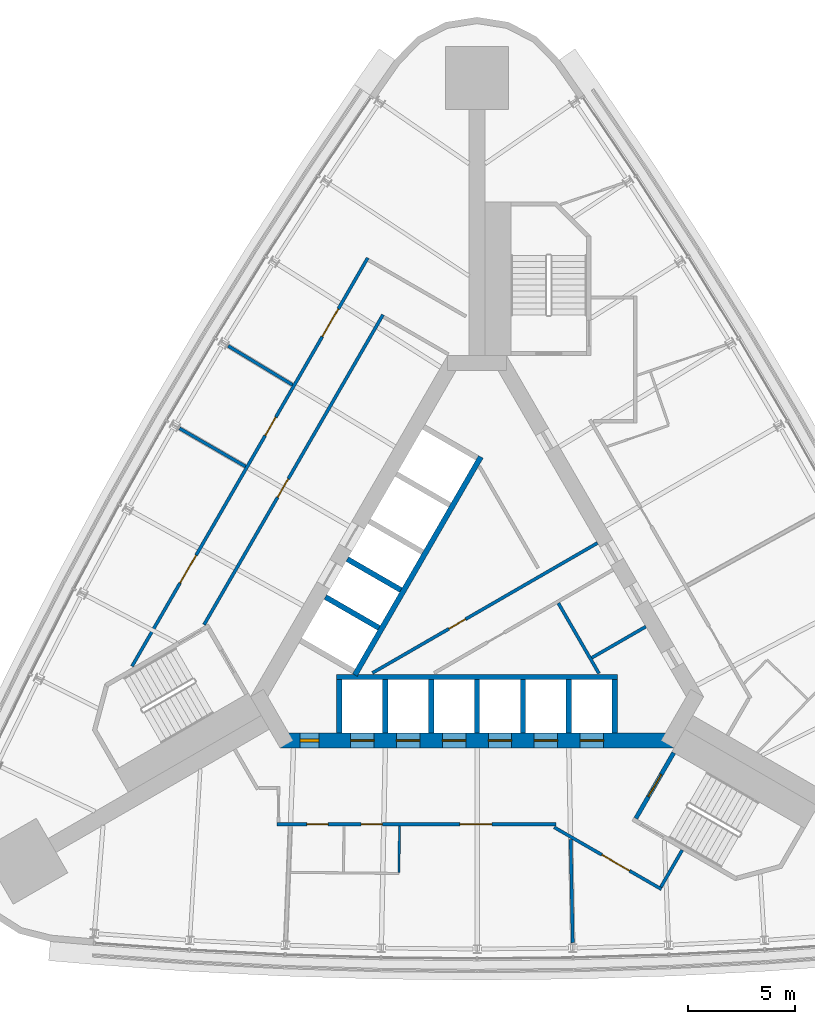
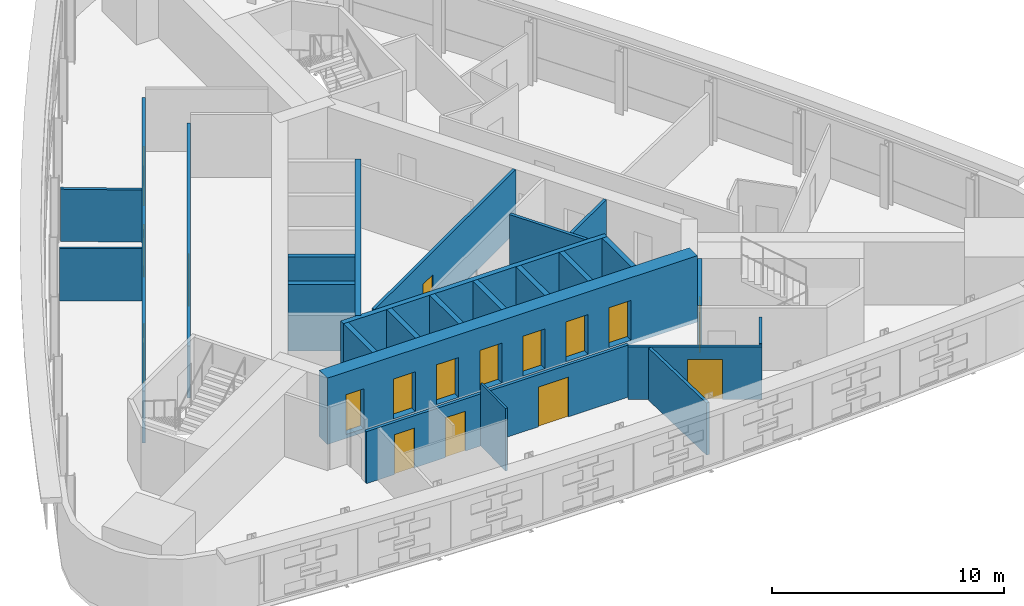
# One storey, part 7 of 11: 25 walls, 17 doors, 17 openings.
"""IFC4 building model written with IfcOpenShell, lengths in metres."""

from ifc_helpers import new_model, si_unit, direction, frame, frame_2d, origin, place, context, subcontext, project, spatial, rectangle, extrude, material, layer, layer_set, type_object, element, fill, save


model = new_model("IFC4")

# Units and contexts
model_context = context("Model", 3, precision=1e-05, world=origin(), true_north=direction((0.0, 1.0)))
body_context = subcontext(model_context, "Body", "Model", "MODEL_VIEW")
ifc_project = project(units=[si_unit("LENGTHUNIT", "METRE"), si_unit("AREAUNIT", "SQUARE_METRE"), si_unit("VOLUMEUNIT", "CUBIC_METRE"), si_unit("PLANEANGLEUNIT", "RADIAN"), si_unit("MASSUNIT", "GRAM", prefix="KILO")], contexts=[model_context])

# Site, building, storey
site_placement = place(None, origin())
site = spatial("IfcSite", under=ifc_project, at=site_placement, CompositionType="ELEMENT")
building_placement = place(site_placement, origin())
building = spatial("IfcBuilding", under=site, at=building_placement, Name="Noor Cloister Tower", CompositionType="ELEMENT")
storey_placement = place(building_placement, frame((0.0, 0.0, 123.89990234375)))
storey = spatial("IfcBuildingStorey", under=building, at=storey_placement, Name="L32", CompositionType="ELEMENT", Elevation=123.89990234375)

# Wall, opening, door
ifc_material_1 = material(Name="Concrete C30/37", Category="concrete")
ifc_layer_1 = layer(ifc_material_1, 0.14990234375)
ifc_layer_set_1 = layer_set([ifc_layer_1], Name="Core partition 150 C30/37")
wall_type_1 = type_object("IfcWallType", Name="Core partition 150 C30/37", PredefinedType="PARTITIONING", material=ifc_layer_set_1)
wall_1_placement = place(storey_placement, frame((-4.904296875, -3.4130859375, 0.0), z_axis=(0.0, 0.0, 1.0), x_axis=(0.866020716117, 0.500008119189, 0.0)))
wall_1 = element("IfcWall", 1, at=wall_1_placement, inside=storey, type_object=wall_type_1, Name="Core room partition L32 1", PredefinedType="PARTITIONING", context=body_context, shape_type="SweptSolid", body=[
    extrude(rectangle(XDim=12.181884765625, YDim=0.14990234375, at=frame_2d((6.0908203125, 0.0))), origin(), (0.0, 0.0, 1.0), 3.300048828125),
])
opening_1_placement = place(wall_1_placement, frame((4.14208984375, 0.0, 0.0)))
opening_1 = element("IfcOpeningElement", 2, at=opening_1_placement, cuts=wall_1, Name="Opening L32-906", PredefinedType="OPENING", context=body_context, shape_type="SweptSolid", body=[
    extrude(rectangle(XDim=0.89990234375, YDim=2.10009765625, at=frame_2d((0.449951171875, 1.050048828125))), frame((0.0, 0.0849609375, 0.0), z_axis=(0.0, -1.0, 0.0), x_axis=(1.0, 0.0, 0.0)), (0.0, 0.0, 1.0), 0.169921875),
])
ifc_material_2 = material(Name="Steel", Category="steel")
door_type_1 = type_object("IfcDoorType", Name="Core door 900 x 2100 FD120", OperationType="SINGLE_SWING_LEFT", PredefinedType="DOOR", material=ifc_material_2)
door_1_placement = place(opening_1_placement, origin())
door_1 = element("IfcDoor", 3, at=door_1_placement, inside=storey, type_object=door_type_1, Name="Core door 6 L32", OperationType="SINGLE_SWING_RIGHT", OverallHeight=2.10009765625, OverallWidth=0.89990234375, PredefinedType="DOOR", context=body_context, shape_type="SweptSolid", body=[
    extrude(rectangle(XDim=0.89990234375, YDim=2.10009765625, at=frame_2d((0.449951171875, 1.050048828125))), frame((0.0, 0.02490234375, 0.0), z_axis=(0.0, -1.0, 0.0), x_axis=(1.0, 0.0, 0.0)), (0.0, 0.0, 1.0), 0.050048828125),
])
fill(opening_1, door_1)

# Walls
wall_2_placement = place(storey_placement, frame((5.713134765625, -3.439208984375, 0.0), z_axis=(0.0, 0.0, 1.0), x_axis=(-0.499981559197, 0.866036050325, 0.0)))
element("IfcWall", 4, at=wall_2_placement, inside=storey, type_object=wall_type_1, Name="Core room partition L32 4", PredefinedType="PARTITIONING", context=body_context, shape_type="SweptSolid", body=[
    extrude(rectangle(XDim=3.806396484375, YDim=0.14990234375, at=frame_2d((1.9033203125, 0.0))), origin(), (0.0, 0.0, 1.0), 3.300048828125),
])
wall_3_placement = place(storey_placement, frame((5.375, -2.703369140625, 0.0), z_axis=(0.0, 0.0, 1.0), x_axis=(0.866046596414, 0.499963291492, 0.0)))
element("IfcWall", 5, at=wall_3_placement, inside=storey, type_object=wall_type_1, Name="Core room partition L32 5", PredefinedType="PARTITIONING", context=body_context, shape_type="SweptSolid", body=[
    extrude(rectangle(XDim=2.925048828125, YDim=0.14990234375, at=frame_2d((1.46240234375, 0.0))), origin(), (0.0, 0.0, 1.0), 3.300048828125),
])

# Wall, openings, doors
ifc_material_3 = material(Name="Concrete C80/95", Category="concrete")
ifc_layer_2 = layer(ifc_material_3, 0.699951171875)
ifc_layer_set_2 = layer_set([ifc_layer_2], Name="Core wall 700 C80/95")
wall_type_2 = type_object("IfcWallType", Name="Core wall 700 C80/95", PredefinedType="SHEAR", material=ifc_layer_set_2)
wall_4_placement = place(storey_placement, frame((-9.228759765625, -6.578125, -0.199951171875), z_axis=(0.0, 0.0, 1.0), x_axis=(1.0, 0.0, 0.0)))
wall_4 = element("IfcWall", 6, at=wall_4_placement, inside=storey, type_object=wall_type_2, Name="Core wall L32 1", PredefinedType="SHEAR", context=body_context, shape_type="SweptSolid", body=[
    extrude(rectangle(XDim=18.45751953125, YDim=0.699951171875, at=frame_2d((9.228759765625, 0.0))), origin(), (0.0, 0.0, 1.0), 3.5),
])
opening_2_placement = place(wall_4_placement, frame((3.3037109375, 0.0, 0.199951171875)))
opening_2 = element("IfcOpeningElement", 7, at=opening_2_placement, cuts=wall_4, Name="Opening L32-LR1", PredefinedType="OPENING", context=body_context, shape_type="SweptSolid", body=[
    extrude(rectangle(XDim=1.10009765625, YDim=2.10009765625, at=frame_2d((0.550048828125, 1.050048828125))), frame((0.0, 0.35986328125, 0.0), z_axis=(0.0, -1.0, 0.0), x_axis=(1.0, 0.0, 0.0)), (0.0, 0.0, 1.0), 0.719970703125),
])
opening_3_placement = place(wall_4_placement, frame((5.45361328125, 0.0, 0.199951171875)))
opening_3 = element("IfcOpeningElement", 8, at=opening_3_placement, cuts=wall_4, Name="Opening L32-LR2", PredefinedType="OPENING", context=body_context, shape_type="SweptSolid", body=[
    extrude(rectangle(XDim=1.10009765625, YDim=2.10009765625, at=frame_2d((0.550048828125, 1.050048828125))), frame((0.0, 0.35986328125, 0.0), z_axis=(0.0, -1.0, 0.0), x_axis=(1.0, 0.0, 0.0)), (0.0, 0.0, 1.0), 0.719970703125),
])
opening_4_placement = place(wall_4_placement, frame((7.603759765625, 0.0, 0.199951171875)))
opening_4 = element("IfcOpeningElement", 9, at=opening_4_placement, cuts=wall_4, Name="Opening L32-LR3", PredefinedType="OPENING", context=body_context, shape_type="SweptSolid", body=[
    extrude(rectangle(XDim=1.10009765625, YDim=2.10009765625, at=frame_2d((0.550048828125, 1.050048828125))), frame((0.0, 0.35986328125, 0.0), z_axis=(0.0, -1.0, 0.0), x_axis=(1.0, 0.0, 0.0)), (0.0, 0.0, 1.0), 0.719970703125),
])
opening_5_placement = place(wall_4_placement, frame((9.753662109375, 0.0, 0.199951171875)))
opening_5 = element("IfcOpeningElement", 10, at=opening_5_placement, cuts=wall_4, Name="Opening L32-LR4", PredefinedType="OPENING", context=body_context, shape_type="SweptSolid", body=[
    extrude(rectangle(XDim=1.10009765625, YDim=2.10009765625, at=frame_2d((0.550048828125, 1.050048828125))), frame((0.0, 0.35986328125, 0.0), z_axis=(0.0, -1.0, 0.0), x_axis=(1.0, 0.0, 0.0)), (0.0, 0.0, 1.0), 0.719970703125),
])
opening_6_placement = place(wall_4_placement, frame((11.90380859375, 0.0, 0.199951171875)))
opening_6 = element("IfcOpeningElement", 11, at=opening_6_placement, cuts=wall_4, Name="Opening L32-LR5", PredefinedType="OPENING", context=body_context, shape_type="SweptSolid", body=[
    extrude(rectangle(XDim=1.10009765625, YDim=2.10009765625, at=frame_2d((0.550048828125, 1.050048828125))), frame((0.0, 0.35986328125, 0.0), z_axis=(0.0, -1.0, 0.0), x_axis=(1.0, 0.0, 0.0)), (0.0, 0.0, 1.0), 0.719970703125),
])
opening_7_placement = place(wall_4_placement, frame((14.0537109375, 0.0, 0.199951171875)))
opening_7 = element("IfcOpeningElement", 12, at=opening_7_placement, cuts=wall_4, Name="Opening L32-LR6", PredefinedType="OPENING", context=body_context, shape_type="SweptSolid", body=[
    extrude(rectangle(XDim=1.10009765625, YDim=2.10009765625, at=frame_2d((0.550048828125, 1.050048828125))), frame((0.0, 0.35986328125, 0.0), z_axis=(0.0, -1.0, 0.0), x_axis=(1.0, 0.0, 0.0)), (0.0, 0.0, 1.0), 0.719970703125),
])
opening_8_placement = place(wall_4_placement, frame((0.92626953125, 0.0, 0.199951171875)))
opening_8 = element("IfcOpeningElement", 13, at=opening_8_placement, cuts=wall_4, Name="Opening L32-907", PredefinedType="OPENING", context=body_context, shape_type="SweptSolid", body=[
    extrude(rectangle(XDim=0.89990234375, YDim=2.10009765625, at=frame_2d((0.449951171875, 1.050048828125))), frame((0.0, 0.35986328125, 0.0), z_axis=(0.0, -1.0, 0.0), x_axis=(1.0, 0.0, 0.0)), (0.0, 0.0, 1.0), 0.719970703125),
])
ifc_material_4 = material(Name="Steel", Category="steel")
door_type_2 = type_object("IfcDoorType", Name="Core door 900 x 2100 FD60", OperationType="SINGLE_SWING_LEFT", PredefinedType="DOOR", material=ifc_material_4)
door_2_placement = place(opening_8_placement, origin())
door_2 = element("IfcDoor", 14, at=door_2_placement, inside=storey, type_object=door_type_2, Name="Core door 7 L32", OperationType="SINGLE_SWING_LEFT", OverallHeight=2.10009765625, OverallWidth=0.89990234375, PredefinedType="DOOR", context=body_context, shape_type="SweptSolid", body=[
    extrude(rectangle(XDim=0.89990234375, YDim=2.10009765625, at=frame_2d((0.449951171875, 1.050048828125))), frame((0.0, 0.074951171875, 0.0), z_axis=(0.0, -1.0, 0.0), x_axis=(1.0, 0.0, 0.0)), (0.0, 0.0, 1.0), 0.14990234375),
])
fill(opening_8, door_2)
ifc_material_5 = material(Name="Stainless steel", Category="steel")
door_type_3 = type_object("IfcDoorType", Name="Lift landing door 1100 x 2100", OperationType="DOUBLE_DOOR_SLIDING", PredefinedType="DOOR", material=ifc_material_5)
door_3_placement = place(opening_2_placement, origin())
door_3 = element("IfcDoor", 15, at=door_3_placement, inside=storey, type_object=door_type_3, Name="Landing door LR1 L32", OperationType="DOUBLE_DOOR_SLIDING", OverallHeight=2.10009765625, OverallWidth=1.10009765625, PredefinedType="DOOR", context=body_context, shape_type="SweptSolid", body=[
    extrude(rectangle(XDim=1.10009765625, YDim=2.10009765625, at=frame_2d((0.550048828125, 1.050048828125))), frame((0.0, 0.02490234375, 0.0), z_axis=(0.0, -1.0, 0.0), x_axis=(1.0, 0.0, 0.0)), (0.0, 0.0, 1.0), 0.050048828125),
])
fill(opening_2, door_3)
door_4_placement = place(opening_3_placement, origin())
door_4 = element("IfcDoor", 16, at=door_4_placement, inside=storey, type_object=door_type_3, Name="Landing door LR2 L32", OperationType="DOUBLE_DOOR_SLIDING", OverallHeight=2.10009765625, OverallWidth=1.10009765625, PredefinedType="DOOR", context=body_context, shape_type="SweptSolid", body=[
    extrude(rectangle(XDim=1.10009765625, YDim=2.10009765625, at=frame_2d((0.550048828125, 1.050048828125))), frame((0.0, 0.02490234375, 0.0), z_axis=(0.0, -1.0, 0.0), x_axis=(1.0, 0.0, 0.0)), (0.0, 0.0, 1.0), 0.050048828125),
])
fill(opening_3, door_4)
door_5_placement = place(opening_4_placement, origin())
door_5 = element("IfcDoor", 17, at=door_5_placement, inside=storey, type_object=door_type_3, Name="Landing door LR3 L32", OperationType="DOUBLE_DOOR_SLIDING", OverallHeight=2.10009765625, OverallWidth=1.10009765625, PredefinedType="DOOR", context=body_context, shape_type="SweptSolid", body=[
    extrude(rectangle(XDim=1.10009765625, YDim=2.10009765625, at=frame_2d((0.550048828125, 1.050048828125))), frame((0.0, 0.02490234375, 0.0), z_axis=(0.0, -1.0, 0.0), x_axis=(1.0, 0.0, 0.0)), (0.0, 0.0, 1.0), 0.050048828125),
])
fill(opening_4, door_5)
door_6_placement = place(opening_5_placement, origin())
door_6 = element("IfcDoor", 18, at=door_6_placement, inside=storey, type_object=door_type_3, Name="Landing door LR4 L32", OperationType="DOUBLE_DOOR_SLIDING", OverallHeight=2.10009765625, OverallWidth=1.10009765625, PredefinedType="DOOR", context=body_context, shape_type="SweptSolid", body=[
    extrude(rectangle(XDim=1.10009765625, YDim=2.10009765625, at=frame_2d((0.550048828125, 1.050048828125))), frame((0.0, 0.02490234375, 0.0), z_axis=(0.0, -1.0, 0.0), x_axis=(1.0, 0.0, 0.0)), (0.0, 0.0, 1.0), 0.050048828125),
])
fill(opening_5, door_6)
door_7_placement = place(opening_6_placement, origin())
door_7 = element("IfcDoor", 19, at=door_7_placement, inside=storey, type_object=door_type_3, Name="Landing door LR5 L32", OperationType="DOUBLE_DOOR_SLIDING", OverallHeight=2.10009765625, OverallWidth=1.10009765625, PredefinedType="DOOR", context=body_context, shape_type="SweptSolid", body=[
    extrude(rectangle(XDim=1.10009765625, YDim=2.10009765625, at=frame_2d((0.550048828125, 1.050048828125))), frame((0.0, 0.02490234375, 0.0), z_axis=(0.0, -1.0, 0.0), x_axis=(1.0, 0.0, 0.0)), (0.0, 0.0, 1.0), 0.050048828125),
])
fill(opening_6, door_7)
door_8_placement = place(opening_7_placement, origin())
door_8 = element("IfcDoor", 20, at=door_8_placement, inside=storey, type_object=door_type_3, Name="Landing door LR6 L32", OperationType="DOUBLE_DOOR_SLIDING", OverallHeight=2.10009765625, OverallWidth=1.10009765625, PredefinedType="DOOR", context=body_context, shape_type="SweptSolid", body=[
    extrude(rectangle(XDim=1.10009765625, YDim=2.10009765625, at=frame_2d((0.550048828125, 1.050048828125))), frame((0.0, 0.02490234375, 0.0), z_axis=(0.0, -1.0, 0.0), x_axis=(1.0, 0.0, 0.0)), (0.0, 0.0, 1.0), 0.050048828125),
])
fill(opening_7, door_8)

# Wall, opening, door
ifc_material_6 = material(Name="Fire-rated gypsum board partition on steel studs, 150 mm", Category="steel")
ifc_layer_3 = layer(ifc_material_6, 0.14990234375)
ifc_layer_set_3 = layer_set([ifc_layer_3], Name="Fire lobby wall 150")
wall_type_3 = type_object("IfcWallType", Name="Fire lobby wall 150", PredefinedType="PARTITIONING", material=ifc_layer_set_3)
wall_5_placement = place(storey_placement, frame((-4.40673828125, 13.373779296875, 0.0), z_axis=(0.0, 0.0, 1.0), x_axis=(-0.499997181693, -0.866027030928, 0.0)))
wall_5 = element("IfcWall", 21, at=wall_5_placement, inside=storey, type_object=wall_type_3, Name="Fire lobby wall 150 L32 002", PredefinedType="PARTITIONING", context=body_context, shape_type="SweptSolid", body=[
    extrude(rectangle(XDim=16.76953125, YDim=0.14990234375, at=frame_2d((8.384765625, 0.0))), origin(), (0.0, 0.0, 1.0), 2.7470703125),
])
opening_9_placement = place(wall_5_placement, frame((8.878662109375, 0.0, 0.0)))
opening_9 = element("IfcOpeningElement", 22, at=opening_9_placement, cuts=wall_5, Name="Opening L32-004", PredefinedType="OPENING", context=body_context, shape_type="SweptSolid", body=[
    extrude(rectangle(XDim=1.0, YDim=2.10009765625, at=frame_2d((0.5, 1.050048828125))), frame((0.0, 0.0849609375, 0.0), z_axis=(0.0, -1.0, 0.0), x_axis=(1.0, 0.0, 0.0)), (0.0, 0.0, 1.0), 0.169921875),
])
ifc_material_7 = material(Name="Timber door leaf with steel frame", Category="steel")
door_type_4 = type_object("IfcDoorType", Name="Fire lobby door 1000", OperationType="NOTDEFINED", PredefinedType="DOOR", material=ifc_material_7)
door_9_placement = place(opening_9_placement, origin())
door_9 = element("IfcDoor", 23, at=door_9_placement, inside=storey, type_object=door_type_4, Name="Fire lobby door 1000 L32-004", OperationType="SINGLE_SWING_RIGHT", OverallHeight=2.10009765625, OverallWidth=1.0, PredefinedType="DOOR", context=body_context, shape_type="SweptSolid", body=[
    extrude(rectangle(XDim=1.0, YDim=2.10009765625, at=frame_2d((0.5, 1.050048828125))), frame((0.0, 0.02490234375, 0.0), z_axis=(0.0, -1.0, 0.0), x_axis=(1.0, 0.0, 0.0)), (0.0, 0.0, 1.0), 0.050048828125),
])
fill(opening_9, door_9)

# Wall, openings, doors
ifc_material_8 = material(Name="Gypsum board partition on steel studs, 150 mm", Category="steel")
ifc_layer_4 = layer(ifc_material_8, 0.14990234375)
ifc_layer_set_4 = layer_set([ifc_layer_4], Name="Flat wall 150")
wall_type_4 = type_object("IfcWallType", Name="Flat wall 150", PredefinedType="PARTITIONING", material=ifc_layer_set_4)
wall_6_placement = place(storey_placement, frame((-16.1689453125, -3.09912109375, 0.0), z_axis=(0.0, 0.0, 1.0), x_axis=(0.499999805269, 0.866025516212, 0.0)))
wall_6 = element("IfcWall", 24, at=wall_6_placement, inside=storey, type_object=wall_type_4, Name="Flat wall 150 L32 001", PredefinedType="PARTITIONING", context=body_context, shape_type="SweptSolid", body=[
    extrude(rectangle(XDim=22.09716796875, YDim=0.14990234375, at=frame_2d((11.048583984375, 0.0))), origin(), (0.0, 0.0, 1.0), 2.7470703125),
])
opening_10_placement = place(wall_6_placement, frame((17.841796875, 0.0, 0.0)))
opening_10 = element("IfcOpeningElement", 25, at=opening_10_placement, cuts=wall_6, Name="Opening L32-001", PredefinedType="OPENING", context=body_context, shape_type="SweptSolid", body=[
    extrude(rectangle(XDim=1.5, YDim=2.10009765625, at=frame_2d((0.75, 1.050048828125))), frame((0.0, 0.0849609375, 0.0), z_axis=(0.0, -1.0, 0.0), x_axis=(1.0, 0.0, 0.0)), (0.0, 0.0, 1.0), 0.169921875),
])
opening_11_placement = place(wall_6_placement, frame((12.474365234375, 0.0, 0.0)))
opening_11 = element("IfcOpeningElement", 26, at=opening_11_placement, cuts=wall_6, Name="Opening L32-002", PredefinedType="OPENING", context=body_context, shape_type="SweptSolid", body=[
    extrude(rectangle(XDim=1.0, YDim=2.10009765625, at=frame_2d((0.5, 1.050048828125))), frame((0.0, 0.0849609375, 0.0), z_axis=(0.0, -1.0, 0.0), x_axis=(1.0, 0.0, 0.0)), (0.0, 0.0, 1.0), 0.169921875),
])
opening_12_placement = place(wall_6_placement, frame((4.50341796875, 0.0, 0.0)))
opening_12 = element("IfcOpeningElement", 27, at=opening_12_placement, cuts=wall_6, Name="Opening L32-003", PredefinedType="OPENING", context=body_context, shape_type="SweptSolid", body=[
    extrude(rectangle(XDim=1.5, YDim=2.10009765625, at=frame_2d((0.75, 1.050048828125))), frame((0.0, 0.0849609375, 0.0), z_axis=(0.0, -1.0, 0.0), x_axis=(1.0, 0.0, 0.0)), (0.0, 0.0, 1.0), 0.169921875),
])
ifc_material_9 = material(Name="Timber door leaf with steel frame", Category="steel")
door_type_5 = type_object("IfcDoorType", Name="Double door 1500 FD60", OperationType="NOTDEFINED", PredefinedType="DOOR", material=ifc_material_9)
door_10_placement = place(opening_10_placement, origin())
door_10 = element("IfcDoor", 28, at=door_10_placement, inside=storey, type_object=door_type_5, Name="Double door 1500 L32-001", OperationType="DOUBLE_DOOR_SINGLE_SWING", OverallHeight=2.10009765625, OverallWidth=1.5, PredefinedType="DOOR", context=body_context, shape_type="SweptSolid", body=[
    extrude(rectangle(XDim=1.5, YDim=2.10009765625, at=frame_2d((0.75, 1.050048828125))), frame((0.0, 0.02490234375, 0.0), z_axis=(0.0, -1.0, 0.0), x_axis=(1.0, 0.0, 0.0)), (0.0, 0.0, 1.0), 0.050048828125),
])
fill(opening_10, door_10)
door_11_placement = place(opening_12_placement, origin())
door_11 = element("IfcDoor", 29, at=door_11_placement, inside=storey, type_object=door_type_5, Name="Double door 1500 L32-003", OperationType="DOUBLE_DOOR_SINGLE_SWING", OverallHeight=2.10009765625, OverallWidth=1.5, PredefinedType="DOOR", context=body_context, shape_type="SweptSolid", body=[
    extrude(rectangle(XDim=1.5, YDim=2.10009765625, at=frame_2d((0.75, 1.050048828125))), frame((0.0, 0.02490234375, 0.0), z_axis=(0.0, -1.0, 0.0), x_axis=(1.0, 0.0, 0.0)), (0.0, 0.0, 1.0), 0.050048828125),
])
fill(opening_12, door_11)
ifc_material_10 = material(Name="Timber door leaf with steel frame", Category="steel")
door_type_6 = type_object("IfcDoorType", Name="Interior door 1000 FD60", OperationType="NOTDEFINED", PredefinedType="DOOR", material=ifc_material_10)
door_12_placement = place(opening_11_placement, origin())
door_12 = element("IfcDoor", 30, at=door_12_placement, inside=storey, type_object=door_type_6, Name="Interior door 1000 L32-002", OperationType="SINGLE_SWING_RIGHT", OverallHeight=2.10009765625, OverallWidth=1.0, PredefinedType="DOOR", context=body_context, shape_type="SweptSolid", body=[
    extrude(rectangle(XDim=1.0, YDim=2.10009765625, at=frame_2d((0.5, 1.050048828125))), frame((0.0, 0.02490234375, 0.0), z_axis=(0.0, -1.0, 0.0), x_axis=(1.0, 0.0, 0.0)), (0.0, 0.0, 1.0), 0.050048828125),
])
fill(opening_11, door_12)

wall_7_placement = place(storey_placement, frame((3.68896484375, -10.503173828125, 0.0), z_axis=(0.0, 0.0, 1.0), x_axis=(-1.0, 0.0, 0.0)))
wall_7 = element("IfcWall", 31, at=wall_7_placement, inside=storey, type_object=wall_type_4, Name="Flat wall 150 L32 004", PredefinedType="PARTITIONING", context=body_context, shape_type="SweptSolid", body=[
    extrude(rectangle(XDim=13.067626953125, YDim=0.14990234375, at=frame_2d((6.53369140625, 0.0))), origin(), (0.0, 0.0, 1.0), 2.7470703125),
])
opening_13_placement = place(wall_7_placement, frame((10.66845703125, 0.0, 0.0)))
opening_13 = element("IfcOpeningElement", 32, at=opening_13_placement, cuts=wall_7, Name="Opening L32-007", PredefinedType="OPENING", context=body_context, shape_type="SweptSolid", body=[
    extrude(rectangle(XDim=1.0, YDim=2.10009765625, at=frame_2d((0.5, 1.050048828125))), frame((0.0, 0.0849609375, 0.0), z_axis=(0.0, -1.0, 0.0), x_axis=(1.0, 0.0, 0.0)), (0.0, 0.0, 1.0), 0.169921875),
])
opening_14_placement = place(wall_7_placement, frame((8.12451171875, 0.0, 0.0)))
opening_14 = element("IfcOpeningElement", 33, at=opening_14_placement, cuts=wall_7, Name="Opening L32-008", PredefinedType="OPENING", context=body_context, shape_type="SweptSolid", body=[
    extrude(rectangle(XDim=1.0, YDim=2.10009765625, at=frame_2d((0.5, 1.050048828125))), frame((0.0, 0.0849609375, 0.0), z_axis=(0.0, -1.0, 0.0), x_axis=(1.0, 0.0, 0.0)), (0.0, 0.0, 1.0), 0.169921875),
])
opening_15_placement = place(wall_7_placement, frame((2.98974609375, 0.0, 0.0)))
opening_15 = element("IfcOpeningElement", 34, at=opening_15_placement, cuts=wall_7, Name="Opening L32-009", PredefinedType="OPENING", context=body_context, shape_type="SweptSolid", body=[
    extrude(rectangle(XDim=1.5, YDim=2.10009765625, at=frame_2d((0.75, 1.050048828125))), frame((0.0, 0.0849609375, 0.0), z_axis=(0.0, -1.0, 0.0), x_axis=(1.0, 0.0, 0.0)), (0.0, 0.0, 1.0), 0.169921875),
])
ifc_material_11 = material(Name="Timber door leaf with steel frame", Category="steel")
door_type_7 = type_object("IfcDoorType", Name="Accessible WC door 1000", OperationType="NOTDEFINED", PredefinedType="DOOR", material=ifc_material_11)
door_13_placement = place(opening_13_placement, origin())
door_13 = element("IfcDoor", 35, at=door_13_placement, inside=storey, type_object=door_type_7, Name="Accessible WC door 1000 L32-007", OperationType="SINGLE_SWING_RIGHT", OverallHeight=2.10009765625, OverallWidth=1.0, PredefinedType="DOOR", context=body_context, shape_type="SweptSolid", body=[
    extrude(rectangle(XDim=1.0, YDim=2.10009765625, at=frame_2d((0.5, 1.050048828125))), frame((0.0, 0.02490234375, 0.0), z_axis=(0.0, -1.0, 0.0), x_axis=(1.0, 0.0, 0.0)), (0.0, 0.0, 1.0), 0.050048828125),
])
fill(opening_13, door_13)
door_14_placement = place(opening_15_placement, origin())
door_14 = element("IfcDoor", 36, at=door_14_placement, inside=storey, type_object=door_type_5, Name="Double door 1500 L32-009", OperationType="DOUBLE_DOOR_SINGLE_SWING", OverallHeight=2.10009765625, OverallWidth=1.5, PredefinedType="DOOR", context=body_context, shape_type="SweptSolid", body=[
    extrude(rectangle(XDim=1.5, YDim=2.10009765625, at=frame_2d((0.75, 1.050048828125))), frame((0.0, 0.02490234375, 0.0), z_axis=(0.0, -1.0, 0.0), x_axis=(1.0, 0.0, 0.0)), (0.0, 0.0, 1.0), 0.050048828125),
])
fill(opening_15, door_14)
door_15_placement = place(opening_14_placement, origin())
door_15 = element("IfcDoor", 37, at=door_15_placement, inside=storey, type_object=door_type_6, Name="Interior door 1000 L32-008", OperationType="SINGLE_SWING_RIGHT", OverallHeight=2.10009765625, OverallWidth=1.0, PredefinedType="DOOR", context=body_context, shape_type="SweptSolid", body=[
    extrude(rectangle(XDim=1.0, YDim=2.10009765625, at=frame_2d((0.5, 1.050048828125))), frame((0.0, 0.02490234375, 0.0), z_axis=(0.0, -1.0, 0.0), x_axis=(1.0, 0.0, 0.0)), (0.0, 0.0, 1.0), 0.050048828125),
])
fill(opening_14, door_15)

# Wall, opening, door
wall_8_placement = place(storey_placement, frame((8.64111328125, -13.5458984375, 0.0), z_axis=(0.0, 0.0, 1.0), x_axis=(-0.866042728627, 0.499969991291, 0.0)))
wall_8 = element("IfcWall", 38, at=wall_8_placement, inside=storey, type_object=wall_type_4, Name="Flat wall 150 L32 005", PredefinedType="PARTITIONING", context=body_context, shape_type="SweptSolid", body=[
    extrude(rectangle(XDim=5.805419921875, YDim=0.14990234375, at=frame_2d((2.90283203125, 0.0))), origin(), (0.0, 0.0, 1.0), 2.7470703125),
])
opening_16_placement = place(wall_8_placement, frame((1.726318359375, 0.0, 0.0)))
opening_16 = element("IfcOpeningElement", 39, at=opening_16_placement, cuts=wall_8, Name="Opening L32-010", PredefinedType="OPENING", context=body_context, shape_type="SweptSolid", body=[
    extrude(rectangle(XDim=1.5, YDim=2.10009765625, at=frame_2d((0.75, 1.050048828125))), frame((0.0, 0.0849609375, 0.0), z_axis=(0.0, -1.0, 0.0), x_axis=(1.0, 0.0, 0.0)), (0.0, 0.0, 1.0), 0.169921875),
])
door_16_placement = place(opening_16_placement, origin())
door_16 = element("IfcDoor", 40, at=door_16_placement, inside=storey, type_object=door_type_5, Name="Double door 1500 L32-010", OperationType="DOUBLE_DOOR_SINGLE_SWING", OverallHeight=2.10009765625, OverallWidth=1.5, PredefinedType="DOOR", context=body_context, shape_type="SweptSolid", body=[
    extrude(rectangle(XDim=1.5, YDim=2.10009765625, at=frame_2d((0.75, 1.050048828125))), frame((0.0, 0.02490234375, 0.0), z_axis=(0.0, -1.0, 0.0), x_axis=(1.0, 0.0, 0.0)), (0.0, 0.0, 1.0), 0.050048828125),
])
fill(opening_16, door_16)

# Walls
wall_9_placement = place(storey_placement, frame((8.613525390625, -13.443603515625, 0.0), z_axis=(0.0, 0.0, 1.0), x_axis=(0.499972520799, 0.866041268327, 0.0)))
element("IfcWall", 41, at=wall_9_placement, inside=storey, type_object=wall_type_4, Name="Flat wall 150 L32 012", PredefinedType="PARTITIONING", context=body_context, shape_type="SweptSolid", body=[
    extrude(rectangle(XDim=2.0, YDim=0.14990234375, at=frame_2d((1.0, 0.0))), origin(), (0.0, 0.0, 1.0), 2.822998046875),
])
wall_10_placement = place(storey_placement, frame((4.4833984375, -16.0537109375, 0.0), z_axis=(0.0, 0.0, 1.0), x_axis=(-0.020251440235, 0.999794918555, 0.0)))
element("IfcWall", 42, at=wall_10_placement, inside=storey, type_object=wall_type_4, Name="Flat wall 150 L32 018", PredefinedType="PARTITIONING", context=body_context, shape_type="SweptSolid", body=[
    extrude(rectangle(XDim=4.834228515625, YDim=0.14990234375, at=frame_2d((2.4169921875, 0.0))), origin(), (0.0, 0.0, 1.0), 2.7470703125),
])
wall_11_placement = place(storey_placement, frame((-13.942138671875, 8.049560546875, 0.0), z_axis=(0.0, 0.0, 1.0), x_axis=(0.866034162518, -0.499984829122, 0.0)))
element("IfcWall", 43, at=wall_11_placement, inside=storey, type_object=wall_type_4, Name="Flat wall 150 L32 019", PredefinedType="PARTITIONING", context=body_context, shape_type="SweptSolid", body=[
    extrude(rectangle(XDim=3.57080078125, YDim=0.14990234375, at=frame_2d((1.785400390625, 0.0))), origin(), (0.0, 0.0, 1.0), 2.7470703125),
])
wall_12_placement = place(storey_placement, frame((-11.6611328125, 11.90966796875, 0.0), z_axis=(0.0, 0.0, 1.0), x_axis=(0.855697033778, -0.517477136098, 0.0)))
element("IfcWall", 44, at=wall_12_placement, inside=storey, type_object=wall_type_4, Name="Flat wall 150 L32 020", PredefinedType="PARTITIONING", context=body_context, shape_type="SweptSolid", body=[
    extrude(rectangle(XDim=3.524658203125, YDim=0.14990234375, at=frame_2d((1.76220703125, 0.0))), origin(), (0.0, 0.0, 1.0), 2.7470703125),
])
ifc_material_12 = material(Name="Gypsum board partition on steel studs, 100 mm", Category="steel")
ifc_layer_5 = layer(ifc_material_12, 0.10009765625)
ifc_layer_set_5 = layer_set([ifc_layer_5], Name="Partition 100")
wall_type_5 = type_object("IfcWallType", Name="Partition 100", PredefinedType="PARTITIONING", material=ifc_layer_set_5)
wall_13_placement = place(storey_placement, frame((-3.65771484375, -12.755859375, 0.0), z_axis=(0.0, 0.0, 1.0), x_axis=(0.010203550433, 0.999947942424, 0.0)))
element("IfcWall", 45, at=wall_13_placement, inside=storey, type_object=wall_type_5, Name="Partition 100 L32 028", PredefinedType="PARTITIONING", context=body_context, shape_type="SweptSolid", body=[
    extrude(rectangle(XDim=2.17724609375, YDim=0.10009765625, at=frame_2d((1.088623046875, 0.0))), origin(), (0.0, 0.0, 1.0), 3.300048828125),
])
ifc_material_13 = material(Name="Concrete C80/95", Category="concrete")
ifc_layer_6 = layer(ifc_material_13, 0.25)
ifc_layer_set_6 = layer_set([ifc_layer_6], Name="Shaft wall 250 C80/95")
wall_type_6 = type_object("IfcWallType", Name="Shaft wall 250 C80/95", PredefinedType="PARTITIONING", material=ifc_layer_set_6)
for number, where, z_axis, x_axis, name in (
    (46, (-6.449951171875, -6.228271484375, -0.199951171875), (0.0, 0.0, 1.0), (0.0, 1.0, 0.0), "Lift shaft wall L32 S 1"),
    (47, (-4.300048828125, -6.228271484375, -0.199951171875), (0.0, 0.0, 1.0), (0.0, 1.0, 0.0), "Lift shaft wall L32 S 2"),
    (48, (-2.14990234375, -6.228271484375, -0.199951171875), (0.0, 0.0, 1.0), (0.0, 1.0, 0.0), "Lift shaft wall L32 S 3"),
    (49, (0.0, -6.228271484375, -0.199951171875), (0.0, 0.0, 1.0), (0.0, 1.0, 0.0), "Lift shaft wall L32 S 4"),
    (50, (2.14990234375, -6.228271484375, -0.199951171875), (0.0, 0.0, 1.0), (0.0, 1.0, 0.0), "Lift shaft wall L32 S 5"),
    (51, (4.300048828125, -6.228271484375, -0.199951171875), (0.0, 0.0, 1.0), (0.0, 1.0, 0.0), "Lift shaft wall L32 S 6"),
    (52, (6.449951171875, -6.228271484375, -0.199951171875), (0.0, 0.0, 1.0), (0.0, 1.0, 0.0), "Lift shaft wall L32 S 7"),
):
    element("IfcWall", number, at=place(storey_placement, frame(where, z_axis=z_axis, x_axis=x_axis)), inside=storey, type_object=wall_type_6, Name=name, PredefinedType="PARTITIONING", context=body_context, shape_type="SweptSolid", body=[
        extrude(rectangle(XDim=2.5, YDim=0.25, at=frame_2d((1.25, 0.0))), origin(), (0.0, 0.0, 1.0), 3.5),
    ])
wall_14_placement = place(storey_placement, frame((-6.574951171875, -3.603271484375, 0.0), z_axis=(0.0, 0.0, 1.0), x_axis=(1.0, 0.0, 0.0)))
element("IfcWall", 53, at=wall_14_placement, inside=storey, type_object=wall_type_6, Name="Lift shaft back wall L32 S", PredefinedType="PARTITIONING", context=body_context, shape_type="SweptSolid", body=[
    extrude(rectangle(XDim=13.14990234375, YDim=0.25, at=frame_2d((6.574951171875, 0.0))), origin(), (0.0, 0.0, 1.0), 3.300048828125),
])
for number, where, z_axis, x_axis, name in (
    (54, (-6.081298828125, 1.92333984375, -0.199951171875), (0.0, 0.0, 1.0), (0.866032775405, -0.499987231761, 0.0), "Lift shaft wall L32 NW 4"),
    (55, (-7.106201171875, 0.14794921875, -0.199951171875), (0.0, 0.0, 1.0), (0.866032775405, -0.499987231761, 0.0), "Lift shaft wall L32 NW 5"),
):
    element("IfcWall", number, at=place(storey_placement, frame(where, z_axis=z_axis, x_axis=x_axis)), inside=storey, type_object=wall_type_6, Name=name, PredefinedType="PARTITIONING", context=body_context, shape_type="SweptSolid", body=[
        extrude(rectangle(XDim=2.89990234375, YDim=0.25, at=frame_2d((1.449951171875, 0.0))), origin(), (0.0, 0.0, 1.0), 3.5),
    ])
wall_15_placement = place(storey_placement, frame((0.176025390625, 6.711181640625, 0.0), z_axis=(0.0, 0.0, 1.0), x_axis=(-0.500004227369, -0.866022963098, 0.0)))
element("IfcWall", 56, at=wall_15_placement, inside=storey, type_object=wall_type_6, Name="Lift shaft back wall L32 NW", PredefinedType="PARTITIONING", context=body_context, shape_type="SweptSolid", body=[
    extrude(rectangle(XDim=11.80029296875, YDim=0.25, at=frame_2d((5.900146484375, 0.0))), origin(), (0.0, 0.0, 1.0), 3.300048828125),
])

# Wall, opening, door
ifc_material_14 = material(Name="Concrete C80/95", Category="concrete")
ifc_layer_7 = layer(ifc_material_14, 0.199951171875)
ifc_layer_set_7 = layer_set([ifc_layer_7], Name="Stair enclosure wall 200 C80/95")
wall_type_7 = type_object("IfcWallType", Name="Stair enclosure wall 200 C80/95", PredefinedType="SHEAR", material=ifc_layer_set_7)
wall_16_placement = place(storey_placement, frame((7.440185546875, -10.225830078125, -0.199951171875), z_axis=(0.0, 0.0, 1.0), x_axis=(0.500022077904, 0.866012656725, 0.0)))
wall_16 = element("IfcWall", 57, at=wall_16_placement, inside=storey, type_object=wall_type_7, Name="Stair enclosure wall ST3 L32 near end", PredefinedType="SHEAR", context=body_context, shape_type="SweptSolid", body=[
    extrude(rectangle(XDim=3.550048828125, YDim=0.199951171875, at=frame_2d((1.77490234375, 0.0))), origin(), (0.0, 0.0, 1.0), 3.5),
])
opening_17_placement = place(wall_16_placement, frame((1.175048828125, 0.0, 0.199951171875)))
opening_17 = element("IfcOpeningElement", 58, at=opening_17_placement, cuts=wall_16, Name="Opening L32-ST3L", PredefinedType="OPENING", context=body_context, shape_type="SweptSolid", body=[
    extrude(rectangle(XDim=1.199951171875, YDim=2.10009765625, at=frame_2d((0.60009765625, 1.050048828125))), frame((0.0, 0.10986328125, 0.0), z_axis=(0.0, -1.0, 0.0), x_axis=(1.0, 0.0, 0.0)), (0.0, 0.0, 1.0), 0.219970703125),
])
ifc_material_15 = material(Name="Steel", Category="steel")
door_type_8 = type_object("IfcDoorType", Name="Stair door 1200 x 2100 FD120", OperationType="SINGLE_SWING_LEFT", PredefinedType="DOOR", material=ifc_material_15)
door_17_placement = place(opening_17_placement, origin())
door_17 = element("IfcDoor", 59, at=door_17_placement, inside=storey, type_object=door_type_8, Name="Stair door ST3 L32", OperationType="SINGLE_SWING_RIGHT", OverallHeight=2.10009765625, OverallWidth=1.199951171875, PredefinedType="DOOR", context=body_context, shape_type="SweptSolid", body=[
    extrude(rectangle(XDim=1.199951171875, YDim=2.10009765625, at=frame_2d((0.60009765625, 1.050048828125))), frame((0.0, 0.02490234375, 0.0), z_axis=(0.0, -1.0, 0.0), x_axis=(1.0, 0.0, 0.0)), (0.0, 0.0, 1.0), 0.050048828125),
])
fill(opening_17, door_17)

save(model, "model.ifc")
